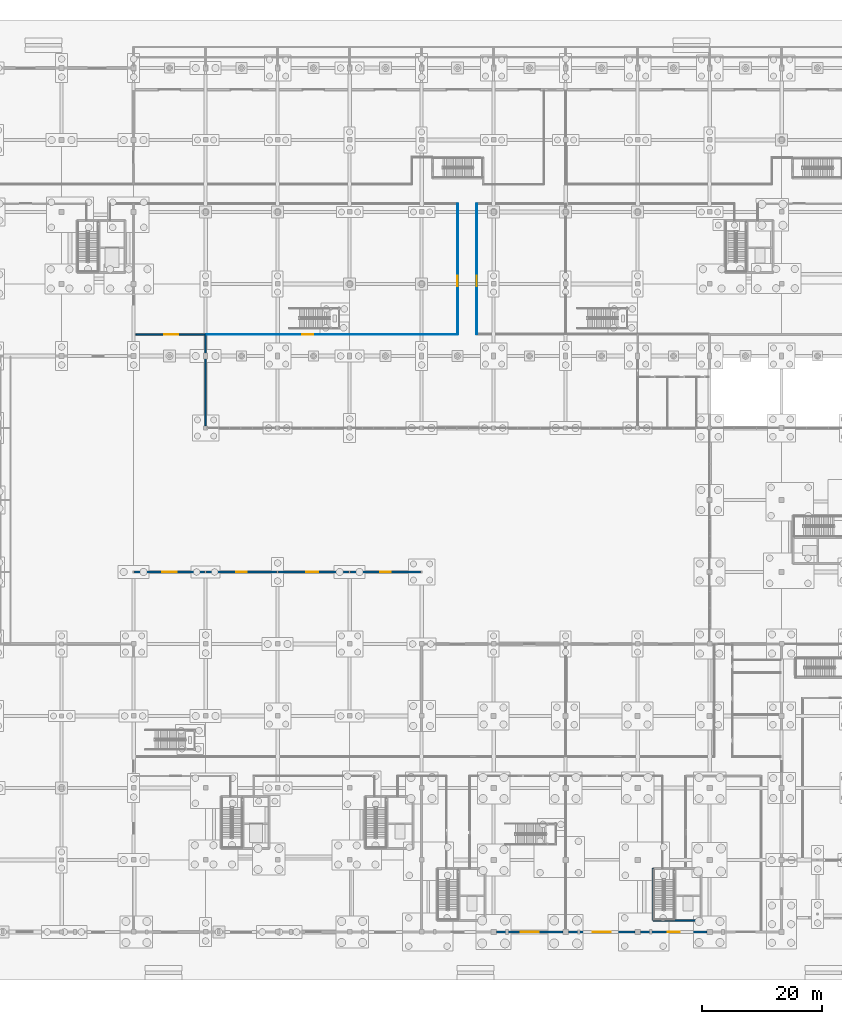
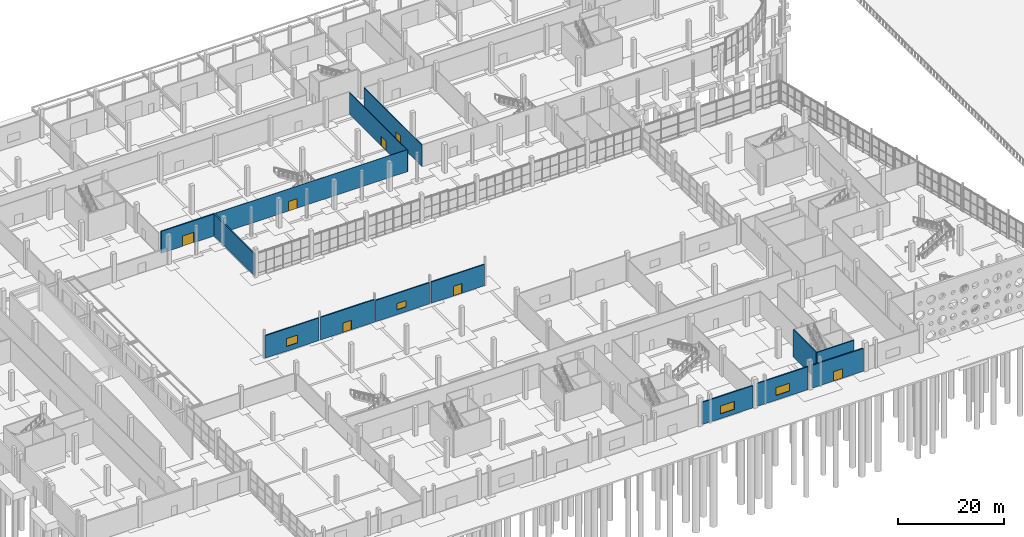
# One storey, part 87 of 117: 14 walls, 7 doors, 4 windows, 11 openings.
"""IFC4 building model written with IfcOpenShell, lengths in metres."""

from ifc_helpers import new_model, si_unit, direction, frame, frame_2d, origin, place, context, subcontext, project, spatial, rectangle, extrude, material, layer, layer_set, type_object, element, fill, save


model = new_model("IFC4")

# Units and contexts
model_context = context("Model", 3, precision=1e-05, world=origin(), true_north=direction((0.0, 1.0)))
body_context = subcontext(model_context, "Body", "Model", "MODEL_VIEW")
ifc_project = project(units=[si_unit("LENGTHUNIT", "METRE"), si_unit("AREAUNIT", "SQUARE_METRE"), si_unit("VOLUMEUNIT", "CUBIC_METRE"), si_unit("PLANEANGLEUNIT", "RADIAN"), si_unit("MASSUNIT", "GRAM", prefix="KILO")], contexts=[model_context])

# Site, building, storey
site_placement = place(None, origin())
site = spatial("IfcSite", under=ifc_project, at=site_placement, CompositionType="ELEMENT")
building_placement = place(site_placement, origin())
building = spatial("IfcBuilding", under=site, at=building_placement, Name="Kamomehara Wholesale Market", CompositionType="ELEMENT")
storey_placement = place(building_placement, origin())
storey = spatial("IfcBuildingStorey", under=building, at=storey_placement, Name="L00", CompositionType="ELEMENT", Elevation=0.0)

# Wall
ifc_material_1 = material(Name="Precast concrete Fc45 (C40/50)", Category="concrete")
ifc_layer_1 = layer(ifc_material_1, 0.260009765625)
ifc_layer_set_1 = layer_set([ifc_layer_1], Name="Precast concrete Fc45 (C40/50)")
wall_type_1 = type_object("IfcWallType", Name="EW-PC-260", PredefinedType="SOLIDWALL", material=ifc_layer_set_1)
wall_1_placement = place(storey_placement, frame((72.0, 96.35009765625, 0.0), z_axis=(0.0, 0.0, 1.0), x_axis=(0.0, 1.0, 0.0)))
element("IfcWall", 1, at=wall_1_placement, inside=storey, type_object=wall_type_1, Name="Exterior wall EW-PC-260 71", PredefinedType="SOLIDWALL", context=body_context, shape_type="SweptSolid", body=[
    extrude(rectangle(XDim=15.3798828125, YDim=0.260009765625, at=frame_2d((7.68994140625, 0.0))), origin(), (0.0, 0.0, 1.0), 5.048095703125),
])

# Wall, opening, door
wall_2_placement = place(storey_placement, frame((71.8701171875, 111.60009765625, 0.0), z_axis=(0.0, 0.0, 1.0), x_axis=(-1.0, 0.0, 0.0)))
wall_2 = element("IfcWall", 2, at=wall_2_placement, inside=storey, type_object=wall_type_1, Name="Exterior wall EW-PC-260 75", PredefinedType="SOLIDWALL", context=body_context, shape_type="SweptSolid", body=[
    extrude(rectangle(XDim=11.47021484375, YDim=0.260009765625, at=frame_2d((5.735107421875, 0.0))), origin(), (0.0, 0.0, 1.0), 5.048095703125),
])
opening_1_placement = place(wall_2_placement, frame((4.39990234375, 0.0, 0.0)))
opening_1 = element("IfcOpeningElement", 3, at=opening_1_placement, cuts=wall_2, Name="Opening ED-L00-27", PredefinedType="OPENING", context=body_context, shape_type="SweptSolid", body=[
    extrude(rectangle(XDim=2.39990234375, YDim=2.39990234375, at=frame_2d((1.199951171875, 1.199951171875))), frame((0.0, 0.14501953125, 0.0), z_axis=(0.0, -1.0, 0.0), x_axis=(1.0, 0.0, 0.0)), (0.0, 0.0, 1.0), 0.289794921875),
])
ifc_material_2 = material(Name="Anodised aluminium 6063-T5", Category="aluminium")
door_type_1 = type_object("IfcDoorType", Name="EDR-2400x2400", OperationType="NOTDEFINED", PredefinedType="DOOR", material=ifc_material_2)
door_1_placement = place(opening_1_placement, origin())
door_1 = element("IfcDoor", 4, at=door_1_placement, inside=storey, type_object=door_type_1, Name="Buyer concourse entrance door ED-L00-27", OperationType="SINGLE_SWING_RIGHT", OverallHeight=2.39990234375, OverallWidth=2.39990234375, PredefinedType="DOOR", context=body_context, shape_type="SweptSolid", body=[
    extrude(rectangle(XDim=2.39990234375, YDim=2.39990234375, at=frame_2d((1.199951171875, 1.199951171875))), frame((0.0, 0.02490234375, 0.0), z_axis=(0.0, -1.0, 0.0), x_axis=(1.0, 0.0, 0.0)), (0.0, 0.0, 1.0), 0.050048828125),
])
fill(opening_1, door_1)

# Wall, opening, window
wall_3_placement = place(storey_placement, frame((60.14990234375, 72.0, 0.0), z_axis=(0.0, 0.0, 1.0), x_axis=(1.0, 0.0, 0.0)))
wall_3 = element("IfcWall", 5, at=wall_3_placement, inside=storey, type_object=wall_type_1, Name="Exterior wall EW-PC-260 82", PredefinedType="SOLIDWALL", context=body_context, shape_type="SweptSolid", body=[
    extrude(rectangle(XDim=11.7001953125, YDim=0.260009765625, at=frame_2d((5.85009765625, 0.0))), origin(), (0.0, 0.0, 1.0), 5.193115234375),
])
opening_2_placement = place(wall_3_placement, frame((4.64990234375, 0.0, 1.10009765625)))
opening_2 = element("IfcOpeningElement", 6, at=opening_2_placement, cuts=wall_3, Name="Opening WN-L00-010", PredefinedType="OPENING", context=body_context, shape_type="SweptSolid", body=[
    extrude(rectangle(XDim=2.39990234375, YDim=1.800048828125, at=frame_2d((1.199951171875, 0.89990234375))), frame((0.0, 0.14501953125, 0.0), z_axis=(0.0, -1.0, 0.0), x_axis=(1.0, 0.0, 0.0)), (0.0, 0.0, 1.0), 0.289794921875),
])
ifc_material_3 = material(Name="Solar-control Low-E double glazing", Category="glass")
window_type_1 = type_object("IfcWindowType", Name="WIN-2400x1800", PartitioningType="SINGLE_PANEL", PredefinedType="WINDOW", material=ifc_material_3)
window_1_placement = place(opening_2_placement, origin())
window_1 = element("IfcWindow", 7, at=window_1_placement, inside=storey, type_object=window_type_1, Name="Exterior window WN-L00-010", OverallHeight=1.800048828125, OverallWidth=2.39990234375, PartitioningType="SINGLE_PANEL", PredefinedType="WINDOW", context=body_context, shape_type="SweptSolid", body=[
    extrude(rectangle(XDim=2.39990234375, YDim=1.800048828125, at=frame_2d((1.199951171875, 0.89990234375))), frame((0.0, 0.030029296875, 0.0), z_axis=(0.0, -1.0, 0.0), x_axis=(1.0, 0.0, 0.0)), (0.0, 0.0, 1.0), 0.06005859375),
])
fill(opening_2, window_1)

# Wall, opening, door
wall_4_placement = place(storey_placement, frame((72.14990234375, 72.0, 0.0), z_axis=(0.0, 0.0, 1.0), x_axis=(1.0, 0.0, 0.0)))
wall_4 = element("IfcWall", 8, at=wall_4_placement, inside=storey, type_object=wall_type_1, Name="Exterior wall EW-PC-260 84", PredefinedType="SOLIDWALL", context=body_context, shape_type="SweptSolid", body=[
    extrude(rectangle(XDim=11.7001953125, YDim=0.260009765625, at=frame_2d((5.85009765625, 0.0))), origin(), (0.0, 0.0, 1.0), 5.193115234375),
])
opening_3_placement = place(wall_4_placement, frame((4.949951171875, 0.0, 0.0)))
opening_3 = element("IfcOpeningElement", 9, at=opening_3_placement, cuts=wall_4, Name="Opening ED-L00-V4N72", PredefinedType="OPENING", context=body_context, shape_type="SweptSolid", body=[
    extrude(rectangle(XDim=1.800048828125, YDim=2.199951171875, at=frame_2d((0.89990234375, 1.10009765625))), frame((0.0, 0.14501953125, 0.0), z_axis=(0.0, -1.0, 0.0), x_axis=(1.0, 0.0, 0.0)), (0.0, 0.0, 1.0), 0.289794921875),
])
ifc_material_4 = material(Name="Anodised aluminium 6063-T5", Category="aluminium")
door_type_2 = type_object("IfcDoorType", Name="EDR-1800x2200", OperationType="NOTDEFINED", PredefinedType="DOOR", material=ifc_material_4)
door_2_placement = place(opening_3_placement, origin())
door_2 = element("IfcDoor", 10, at=door_2_placement, inside=storey, type_object=door_type_2, Name="Flower courtyard entrance door ED-L00-V4N72", OperationType="SINGLE_SWING_LEFT", OverallHeight=2.199951171875, OverallWidth=1.800048828125, PredefinedType="DOOR", context=body_context, shape_type="SweptSolid", body=[
    extrude(rectangle(XDim=1.800048828125, YDim=2.199951171875, at=frame_2d((0.89990234375, 1.10009765625))), frame((0.0, 0.02490234375, 0.0), z_axis=(0.0, -1.0, 0.0), x_axis=(1.0, 0.0, 0.0)), (0.0, 0.0, 1.0), 0.050048828125),
])
fill(opening_3, door_2)

# Wall, opening, window
wall_5_placement = place(storey_placement, frame((84.14990234375, 72.0, 0.0), z_axis=(0.0, 0.0, 1.0), x_axis=(1.0, 0.0, 0.0)))
wall_5 = element("IfcWall", 11, at=wall_5_placement, inside=storey, type_object=wall_type_1, Name="Exterior wall EW-PC-260 86", PredefinedType="SOLIDWALL", context=body_context, shape_type="SweptSolid", body=[
    extrude(rectangle(XDim=11.7001953125, YDim=0.260009765625, at=frame_2d((5.85009765625, 0.0))), origin(), (0.0, 0.0, 1.0), 4.89306640625),
])
opening_4_placement = place(wall_5_placement, frame((4.64990234375, 0.0, 1.10009765625)))
opening_4 = element("IfcOpeningElement", 12, at=opening_4_placement, cuts=wall_5, Name="Opening WN-L00-012", PredefinedType="OPENING", context=body_context, shape_type="SweptSolid", body=[
    extrude(rectangle(XDim=1.949951171875, YDim=1.449951171875, at=frame_2d((0.97509765625, 0.72509765625))), frame((0.0, 0.14501953125, 0.0), z_axis=(0.0, -1.0, 0.0), x_axis=(1.0, 0.0, 0.0)), (0.0, 0.0, 1.0), 0.289794921875),
])
ifc_material_5 = material(Name="Solar-control Low-E double glazing", Category="glass")
window_type_2 = type_object("IfcWindowType", Name="WIN-1950x1450", PartitioningType="SINGLE_PANEL", PredefinedType="WINDOW", material=ifc_material_5)
window_2_placement = place(opening_4_placement, origin())
window_2 = element("IfcWindow", 13, at=window_2_placement, inside=storey, type_object=window_type_2, Name="Exterior window WN-L00-012", OverallHeight=1.449951171875, OverallWidth=1.949951171875, PartitioningType="SINGLE_PANEL", PredefinedType="WINDOW", context=body_context, shape_type="SweptSolid", body=[
    extrude(rectangle(XDim=1.949951171875, YDim=1.449951171875, at=frame_2d((0.97509765625, 0.72509765625))), frame((0.0, 0.030029296875, 0.0), z_axis=(0.0, -1.0, 0.0), x_axis=(1.0, 0.0, 0.0)), (0.0, 0.0, 1.0), 0.06005859375),
])
fill(opening_4, window_2)

# Wall, opening, door
wall_6_placement = place(storey_placement, frame((96.14990234375, 72.0, 0.0), z_axis=(0.0, 0.0, 1.0), x_axis=(1.0, 0.0, 0.0)))
wall_6 = element("IfcWall", 14, at=wall_6_placement, inside=storey, type_object=wall_type_1, Name="Exterior wall EW-PC-260 88", PredefinedType="SOLIDWALL", context=body_context, shape_type="SweptSolid", body=[
    extrude(rectangle(XDim=11.7001953125, YDim=0.260009765625, at=frame_2d((5.85009765625, 0.0))), origin(), (0.0, 0.0, 1.0), 4.89306640625),
])
opening_5_placement = place(wall_6_placement, frame((4.949951171875, 0.0, 0.0)))
opening_5 = element("IfcOpeningElement", 15, at=opening_5_placement, cuts=wall_6, Name="Opening ED-L00-V4N96", PredefinedType="OPENING", context=body_context, shape_type="SweptSolid", body=[
    extrude(rectangle(XDim=1.800048828125, YDim=2.199951171875, at=frame_2d((0.89990234375, 1.10009765625))), frame((0.0, 0.14501953125, 0.0), z_axis=(0.0, -1.0, 0.0), x_axis=(1.0, 0.0, 0.0)), (0.0, 0.0, 1.0), 0.289794921875),
])
door_3_placement = place(opening_5_placement, origin())
door_3 = element("IfcDoor", 16, at=door_3_placement, inside=storey, type_object=door_type_2, Name="Flower courtyard entrance door ED-L00-V4N96", OperationType="SINGLE_SWING_LEFT", OverallHeight=2.199951171875, OverallWidth=1.800048828125, PredefinedType="DOOR", context=body_context, shape_type="SweptSolid", body=[
    extrude(rectangle(XDim=1.800048828125, YDim=2.199951171875, at=frame_2d((0.89990234375, 1.10009765625))), frame((0.0, 0.02490234375, 0.0), z_axis=(0.0, -1.0, 0.0), x_axis=(1.0, 0.0, 0.0)), (0.0, 0.0, 1.0), 0.050048828125),
])
fill(opening_5, door_3)

# Wall, opening, window
wall_7_placement = place(storey_placement, frame((131.550048828125, 12.0, 0.0), z_axis=(0.0, 0.0, 1.0), x_axis=(-1.0, 0.0, 0.0)))
wall_7 = element("IfcWall", 17, at=wall_7_placement, inside=storey, type_object=wall_type_1, Name="Exterior wall EW-PC-260 95", PredefinedType="SOLIDWALL", context=body_context, shape_type="SweptSolid", body=[
    extrude(rectangle(XDim=11.10009765625, YDim=0.260009765625, at=frame_2d((5.550048828125, 0.0))), origin(), (0.0, 0.0, 1.0), 5.1279296875),
])
opening_6_placement = place(wall_7_placement, frame((4.050048828125, 0.0, 1.10009765625)))
opening_6 = element("IfcOpeningElement", 18, at=opening_6_placement, cuts=wall_7, Name="Opening WN-L00-017", PredefinedType="OPENING", context=body_context, shape_type="SweptSolid", body=[
    extrude(rectangle(XDim=3.0, YDim=1.800048828125, at=frame_2d((1.5, 0.89990234375))), frame((0.0, 0.14501953125, 0.0), z_axis=(0.0, -1.0, 0.0), x_axis=(1.0, 0.0, 0.0)), (0.0, 0.0, 1.0), 0.289794921875),
])
ifc_material_6 = material(Name="Solar-control Low-E double glazing", Category="glass")
window_type_3 = type_object("IfcWindowType", Name="WIN-3000x1800", PartitioningType="SINGLE_PANEL", PredefinedType="WINDOW", material=ifc_material_6)
window_3_placement = place(opening_6_placement, origin())
window_3 = element("IfcWindow", 19, at=window_3_placement, inside=storey, type_object=window_type_3, Name="Exterior window WN-L00-017", OverallHeight=1.800048828125, OverallWidth=3.0, PartitioningType="SINGLE_PANEL", PredefinedType="WINDOW", context=body_context, shape_type="SweptSolid", body=[
    extrude(rectangle(XDim=3.0, YDim=1.800048828125, at=frame_2d((1.5, 0.89990234375))), frame((0.0, 0.030029296875, 0.0), z_axis=(0.0, -1.0, 0.0), x_axis=(1.0, 0.0, 0.0)), (0.0, 0.0, 1.0), 0.06005859375),
])
fill(opening_6, window_3)

wall_8_placement = place(storey_placement, frame((143.550048828125, 12.0, 0.0), z_axis=(0.0, 0.0, 1.0), x_axis=(-1.0, 0.0, 0.0)))
wall_8 = element("IfcWall", 20, at=wall_8_placement, inside=storey, type_object=wall_type_1, Name="Exterior wall EW-PC-260 97", PredefinedType="SOLIDWALL", context=body_context, shape_type="SweptSolid", body=[
    extrude(rectangle(XDim=11.10009765625, YDim=0.260009765625, at=frame_2d((5.550048828125, 0.0))), origin(), (0.0, 0.0, 1.0), 5.278076171875),
])
opening_7_placement = place(wall_8_placement, frame((4.050048828125, 0.0, 1.10009765625)))
opening_7 = element("IfcOpeningElement", 21, at=opening_7_placement, cuts=wall_8, Name="Opening WN-L00-018", PredefinedType="OPENING", context=body_context, shape_type="SweptSolid", body=[
    extrude(rectangle(XDim=3.0, YDim=1.800048828125, at=frame_2d((1.5, 0.89990234375))), frame((0.0, 0.14501953125, 0.0), z_axis=(0.0, -1.0, 0.0), x_axis=(1.0, 0.0, 0.0)), (0.0, 0.0, 1.0), 0.289794921875),
])
window_4_placement = place(opening_7_placement, origin())
window_4 = element("IfcWindow", 22, at=window_4_placement, inside=storey, type_object=window_type_3, Name="Exterior window WN-L00-018", OverallHeight=1.800048828125, OverallWidth=3.0, PartitioningType="SINGLE_PANEL", PredefinedType="WINDOW", context=body_context, shape_type="SweptSolid", body=[
    extrude(rectangle(XDim=3.0, YDim=1.800048828125, at=frame_2d((1.5, 0.89990234375))), frame((0.0, 0.030029296875, 0.0), z_axis=(0.0, -1.0, 0.0), x_axis=(1.0, 0.0, 0.0)), (0.0, 0.0, 1.0), 0.06005859375),
])
fill(opening_7, window_4)

# Wall, opening, door
wall_9_placement = place(storey_placement, frame((155.550048828125, 12.0, 0.0), z_axis=(0.0, 0.0, 1.0), x_axis=(-1.0, 0.0, 0.0)))
wall_9 = element("IfcWall", 23, at=wall_9_placement, inside=storey, type_object=wall_type_1, Name="Exterior wall EW-PC-260 99", PredefinedType="SOLIDWALL", context=body_context, shape_type="SweptSolid", body=[
    extrude(rectangle(XDim=11.10009765625, YDim=0.260009765625, at=frame_2d((5.550048828125, 0.0))), origin(), (0.0, 0.0, 1.0), 5.26806640625),
])
opening_8_placement = place(wall_9_placement, frame((4.5, 0.0, 0.0)))
opening_8 = element("IfcOpeningElement", 24, at=opening_8_placement, cuts=wall_9, Name="Opening ED-L00-V5144", PredefinedType="OPENING", context=body_context, shape_type="SweptSolid", body=[
    extrude(rectangle(XDim=2.0, YDim=2.199951171875, at=frame_2d((1.0, 1.10009765625))), frame((0.0, 0.14501953125, 0.0), z_axis=(0.0, -1.0, 0.0), x_axis=(1.0, 0.0, 0.0)), (0.0, 0.0, 1.0), 0.289794921875),
])
ifc_material_7 = material(Name="Anodised aluminium 6063-T5", Category="aluminium")
door_type_3 = type_object("IfcDoorType", Name="EDR-2000x2200", OperationType="NOTDEFINED", PredefinedType="DOOR", material=ifc_material_7)
door_4_placement = place(opening_8_placement, origin())
door_4 = element("IfcDoor", 25, at=door_4_placement, inside=storey, type_object=door_type_3, Name="Boulevard cafe entrance door ED-L00-V5144", OperationType="SINGLE_SWING_LEFT", OverallHeight=2.199951171875, OverallWidth=2.0, PredefinedType="DOOR", context=body_context, shape_type="SweptSolid", body=[
    extrude(rectangle(XDim=2.0, YDim=2.199951171875, at=frame_2d((1.0, 1.10009765625))), frame((0.0, 0.02490234375, 0.0), z_axis=(0.0, -1.0, 0.0), x_axis=(1.0, 0.0, 0.0)), (0.0, 0.0, 1.0), 0.050048828125),
])
fill(opening_8, door_4)

ifc_material_8 = material(Name="Gypsum board partition")
ifc_layer_2 = layer(ifc_material_8, 0.10009765625)
ifc_layer_set_2 = layer_set([ifc_layer_2], Name="Gypsum board partition")
wall_type_2 = type_object("IfcWallType", Name="IW-PRT-100", PredefinedType="PARTITIONING", material=ifc_layer_set_2)
wall_10_placement = place(storey_placement, frame((72.1298828125, 111.60009765625, 0.0), z_axis=(0.0, 0.0, 1.0), x_axis=(1.0, 0.0, 0.0)))
wall_10 = element("IfcWall", 26, at=wall_10_placement, inside=storey, type_object=wall_type_2, Name="Interior wall IW-PRT-100 218", PredefinedType="PARTITIONING", context=body_context, shape_type="SweptSolid", body=[
    extrude(rectangle(XDim=41.8701171875, YDim=0.10009765625, at=frame_2d((20.93505859375, 0.0))), origin(), (0.0, 0.0, 1.0), 5.052978515625),
])
opening_9_placement = place(wall_10_placement, frame((16.0, 0.0, 0.0)))
opening_9 = element("IfcOpeningElement", 27, at=opening_9_placement, cuts=wall_10, Name="Opening ID-L00-130", PredefinedType="OPENING", context=body_context, shape_type="SweptSolid", body=[
    extrude(rectangle(XDim=1.800048828125, YDim=2.199951171875, at=frame_2d((0.89990234375, 1.10009765625))), frame((0.0, 0.06494140625, 0.0), z_axis=(0.0, -1.0, 0.0), x_axis=(1.0, 0.0, 0.0)), (0.0, 0.0, 1.0), 0.1298828125),
])
ifc_material_9 = material(Name="Steel SN400B", Category="steel")
door_type_4 = type_object("IfcDoorType", Name="IDR-FD-1800x2200", OperationType="NOTDEFINED", PredefinedType="DOOR", material=ifc_material_9)
door_5_placement = place(opening_9_placement, origin())
door_5 = element("IfcDoor", 28, at=door_5_placement, inside=storey, type_object=door_type_4, Name="Interior door ID-L00-130", OperationType="SINGLE_SWING_RIGHT", OverallHeight=2.199951171875, OverallWidth=1.800048828125, PredefinedType="DOOR", context=body_context, shape_type="SweptSolid", body=[
    extrude(rectangle(XDim=1.800048828125, YDim=2.199951171875, at=frame_2d((0.89990234375, 1.10009765625))), frame((0.0, 0.02490234375, 0.0), z_axis=(0.0, -1.0, 0.0), x_axis=(1.0, 0.0, 0.0)), (0.0, 0.0, 1.0), 0.050048828125),
])
fill(opening_9, door_5)

ifc_material_10 = material(Name="Gypsum board partition")
ifc_layer_3 = layer(ifc_material_10, 0.14990234375)
ifc_layer_set_3 = layer_set([ifc_layer_3], Name="Gypsum board partition")
wall_type_3 = type_object("IfcWallType", Name="IW-PRT-150", PredefinedType="PARTITIONING", material=ifc_layer_set_3)
wall_11_placement = place(storey_placement, frame((114.0, 111.60009765625, 0.0), z_axis=(0.0, 0.0, 1.0), x_axis=(0.0, 1.0, 0.0)))
wall_11 = element("IfcWall", 29, at=wall_11_placement, inside=storey, type_object=wall_type_3, Name="Interior wall IW-PRT-150 219", PredefinedType="PARTITIONING", context=body_context, shape_type="SweptSolid", body=[
    extrude(rectangle(XDim=21.7998046875, YDim=0.14990234375, at=frame_2d((10.89990234375, 0.0))), origin(), (0.0, 0.0, 1.0), 4.952880859375),
])
opening_10_placement = place(wall_11_placement, frame((8.0, 0.0, 0.0)))
opening_10 = element("IfcOpeningElement", 30, at=opening_10_placement, cuts=wall_11, Name="Opening ID-L00-131", PredefinedType="OPENING", context=body_context, shape_type="SweptSolid", body=[
    extrude(rectangle(XDim=1.800048828125, YDim=2.199951171875, at=frame_2d((0.89990234375, 1.10009765625))), frame((0.0, 0.08984375, 0.0), z_axis=(0.0, -1.0, 0.0), x_axis=(1.0, 0.0, 0.0)), (0.0, 0.0, 1.0), 0.1796875),
])
door_6_placement = place(opening_10_placement, origin())
door_6 = element("IfcDoor", 31, at=door_6_placement, inside=storey, type_object=door_type_4, Name="Interior door ID-L00-131", OperationType="SINGLE_SWING_LEFT", OverallHeight=2.199951171875, OverallWidth=1.800048828125, PredefinedType="DOOR", context=body_context, shape_type="SweptSolid", body=[
    extrude(rectangle(XDim=1.800048828125, YDim=2.199951171875, at=frame_2d((0.89990234375, 1.10009765625))), frame((0.0, 0.02490234375, 0.0), z_axis=(0.0, -1.0, 0.0), x_axis=(1.0, 0.0, 0.0)), (0.0, 0.0, 1.0), 0.050048828125),
])
fill(opening_10, door_6)

wall_12_placement = place(storey_placement, frame((117.199951171875, 111.60009765625, 0.0), z_axis=(0.0, 0.0, 1.0), x_axis=(0.0, 1.0, 0.0)))
wall_12 = element("IfcWall", 32, at=wall_12_placement, inside=storey, type_object=wall_type_3, Name="Interior wall IW-PRT-150 220", PredefinedType="PARTITIONING", context=body_context, shape_type="SweptSolid", body=[
    extrude(rectangle(XDim=21.7998046875, YDim=0.14990234375, at=frame_2d((10.89990234375, 0.0))), origin(), (0.0, 0.0, 1.0), 4.952880859375),
])
opening_11_placement = place(wall_12_placement, frame((8.0, 0.0, 0.0)))
opening_11 = element("IfcOpeningElement", 33, at=opening_11_placement, cuts=wall_12, Name="Opening ID-L00-132", PredefinedType="OPENING", context=body_context, shape_type="SweptSolid", body=[
    extrude(rectangle(XDim=1.800048828125, YDim=2.199951171875, at=frame_2d((0.89990234375, 1.10009765625))), frame((0.0, 0.08984375, 0.0), z_axis=(0.0, -1.0, 0.0), x_axis=(1.0, 0.0, 0.0)), (0.0, 0.0, 1.0), 0.1796875),
])
door_7_placement = place(opening_11_placement, origin())
door_7 = element("IfcDoor", 34, at=door_7_placement, inside=storey, type_object=door_type_4, Name="Interior door ID-L00-132", OperationType="SINGLE_SWING_RIGHT", OverallHeight=2.199951171875, OverallWidth=1.800048828125, PredefinedType="DOOR", context=body_context, shape_type="SweptSolid", body=[
    extrude(rectangle(XDim=1.800048828125, YDim=2.199951171875, at=frame_2d((0.89990234375, 1.10009765625))), frame((0.0, 0.02490234375, 0.0), z_axis=(0.0, -1.0, 0.0), x_axis=(1.0, 0.0, 0.0)), (0.0, 0.0, 1.0), 0.050048828125),
])
fill(opening_11, door_7)

# Walls
ifc_material_11 = material(Name="Concrete Fc36 (C35/45)", Category="concrete")
ifc_layer_4 = layer(ifc_material_11, 0.239990234375)
ifc_layer_set_4 = layer_set([ifc_layer_4], Name="Concrete Fc36 (C35/45)")
wall_type_4 = type_object("IfcWallType", Name="IW-SHR-240", PredefinedType="SHEAR", material=ifc_layer_set_4)
wall_13_placement = place(storey_placement, frame((146.580078125, 22.60009765625, 0.0), z_axis=(0.0, 0.0, 1.0), x_axis=(0.0, -1.0, 0.0)))
element("IfcWall", 35, at=wall_13_placement, inside=storey, type_object=wall_type_4, Name="Interior wall IW-SHR-240 109", PredefinedType="SHEAR", context=body_context, shape_type="SweptSolid", body=[
    extrude(rectangle(XDim=8.670166015625, YDim=0.239990234375, at=frame_2d((4.3349609375, 0.0))), origin(), (0.0, 0.0, 1.0), 6.2900390625),
])
wall_14_placement = place(storey_placement, frame((146.580078125, 13.929931640625, 0.0), z_axis=(0.0, 0.0, 1.0), x_axis=(1.0, 0.0, 0.0)))
element("IfcWall", 36, at=wall_14_placement, inside=storey, type_object=wall_type_4, Name="Interior wall IW-SHR-240 110", PredefinedType="SHEAR", context=body_context, shape_type="SweptSolid", body=[
    extrude(rectangle(XDim=8.02001953125, YDim=0.239990234375, at=frame_2d((4.010009765625, 0.0))), origin(), (0.0, 0.0, 1.0), 6.2900390625),
])

save(model, "model.ifc")
